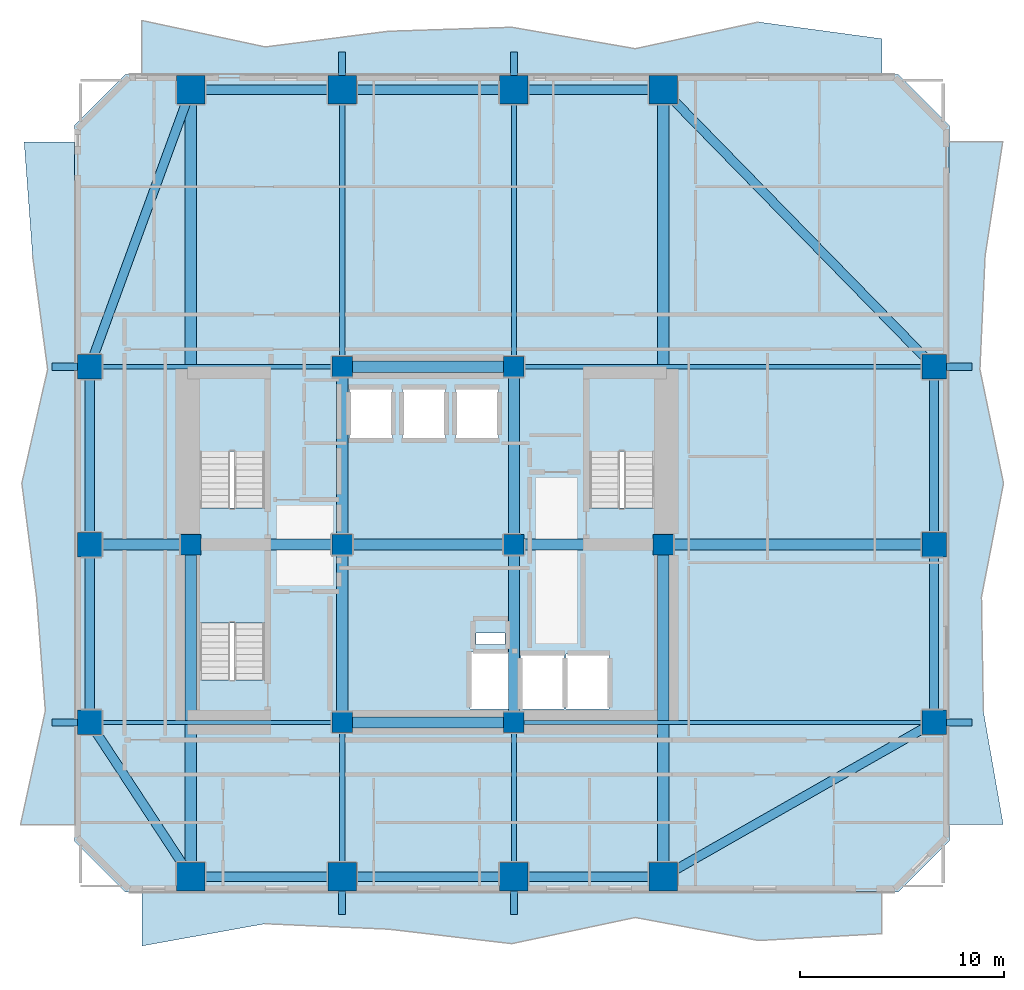
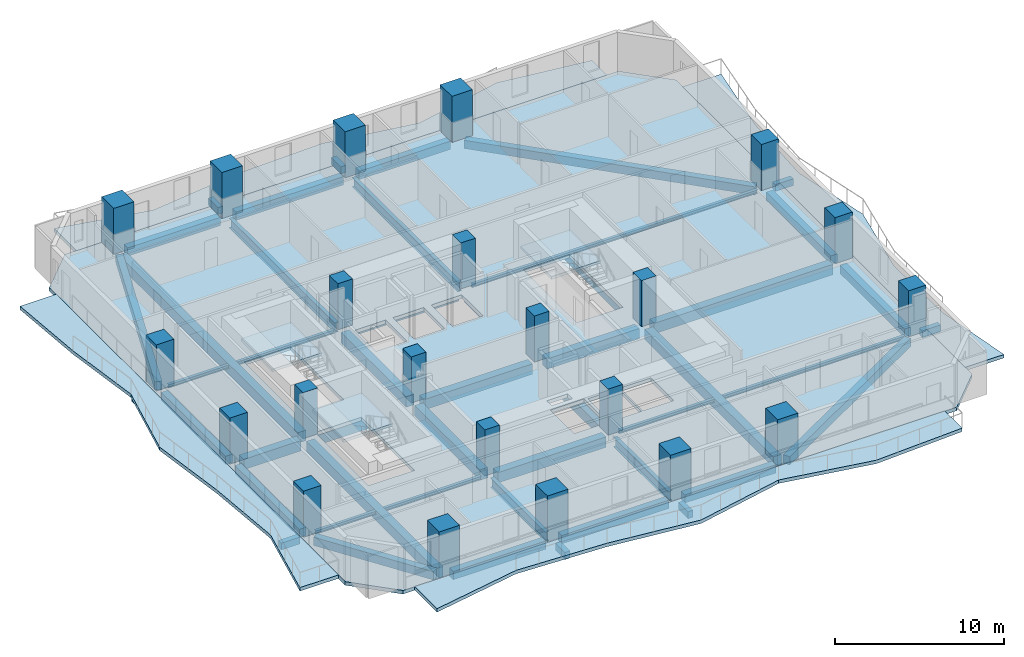
# One storey, part 1 of 11: 45 beams, 22 columns, 8 slabs, 3 elements without a shape of their own.
"""IFC4 building model written with IfcOpenShell, lengths in metres."""

import ifcopenshell
import ifcopenshell.guid

model = None  # the IFC model being written
_history = None  # IfcOwnerHistory: only IFC2X3 demands one
_inside = {}  # id of a spatial element -> (the spatial element, [elements in it])
_under = {}  # id of a project, library or spatial element -> (it, [spatial elements below it])
_declared = {}  # id of a project -> (the project, [libraries it declares])
_typed = {}  # id of a type object -> (the type object, [elements of that type])
_made_of = {}  # id of a material, layer set ... -> (it, [elements and type objects made of it])


def new_model(schema):
    """Start an empty IFC model of exactly this schema.

    Asked for "IFC4X3", IfcOpenShell would pick the latest addendum, in which some entities
    have other attributes; the version numbers below select the first issue.
    IFC2X3 requires an IfcOwnerHistory on every rooted entity: one is made here for all.
    """
    global model, _history
    if schema == "IFC4X3":
        model = ifcopenshell.file(schema_version=(4, 3, 0, 0))
    else:
        model = ifcopenshell.file(schema=schema)
    _inside.clear()
    _under.clear()
    _declared.clear()
    _typed.clear()
    _made_of.clear()
    _history = None
    if model.schema == "IFC2X3":
        org = make("IfcOrganization", Name="unknown")
        user = make(
            "IfcPersonAndOrganization",
            ThePerson=make("IfcPerson", FamilyName="unknown"),
            TheOrganization=org,
        )
        app = make(
            "IfcApplication",
            ApplicationDeveloper=org,
            Version="unknown",
            ApplicationFullName="unknown",
            ApplicationIdentifier="unknown",
        )
        _history = make(
            "IfcOwnerHistory",
            OwningUser=user,
            OwningApplication=app,
            ChangeAction="ADDED",
            CreationDate=0,
        )
    return model


def make(cls, **values):
    """One entity of the class cls with the attributes given. An attribute that is None is left unset."""
    return model.create_entity(
        cls, **{name: value for name, value in values.items() if value is not None}
    )


def rooted(cls, **values):
    """An entity with a GlobalId (a new one), such as an element, a storey or a relation."""
    return make(cls, GlobalId=ifcopenshell.guid.new(), OwnerHistory=_history, **values)


def si_unit(unit_type, name, prefix=None):
    """IfcSIUnit, for example si_unit("LENGTHUNIT", "METRE", prefix="MILLI")."""
    return make("IfcSIUnit", UnitType=unit_type, Prefix=prefix, Name=name)


def assignment(units):
    """IfcUnitAssignment: the units of a project."""
    return None if units is None else make("IfcUnitAssignment", Units=units)


def point(xyz):
    """IfcCartesianPoint."""
    return None if xyz is None else make("IfcCartesianPoint", Coordinates=xyz)


def direction(xyz):
    """IfcDirection."""
    return None if xyz is None else make("IfcDirection", DirectionRatios=xyz)


def frame(location, z_axis=None, x_axis=None):
    """IfcAxis2Placement3D, a coordinate frame: its origin and axes. An axis left out is left unset."""
    return make(
        "IfcAxis2Placement3D",
        Location=point(location),
        Axis=direction(z_axis),
        RefDirection=direction(x_axis),
    )


def frame_2d(location, x_axis=None):
    """IfcAxis2Placement2D, a coordinate frame in the plane: its origin and x axis."""
    return make(
        "IfcAxis2Placement2D", Location=point(location), RefDirection=direction(x_axis)
    )


def origin():
    """The frame at (0, 0, 0) with its axes left unset."""
    return frame((0.0, 0.0, 0.0))


def origin_2d():
    """The frame at (0, 0) in the plane with its x axis left unset."""
    return frame_2d((0.0, 0.0))


def place(relative_to, where):
    """IfcLocalPlacement: puts the frame where relative to a parent placement (None: the world)."""
    return make(
        "IfcLocalPlacement", PlacementRelTo=relative_to, RelativePlacement=where
    )


def context(
    kind, dimensions, precision=None, world=None, true_north=None, identifier=None
):
    """IfcGeometricRepresentationContext, for example the 3D "Model" context."""
    return make(
        "IfcGeometricRepresentationContext",
        ContextIdentifier=identifier,
        ContextType=kind,
        CoordinateSpaceDimension=dimensions,
        Precision=precision,
        WorldCoordinateSystem=world,
        TrueNorth=true_north,
    )


def subcontext(parent, identifier, kind, view, scale=None):
    """IfcGeometricRepresentationSubContext, for example "Body" below "Model"."""
    return make(
        "IfcGeometricRepresentationSubContext",
        ContextIdentifier=identifier,
        ContextType=kind,
        ParentContext=parent,
        TargetScale=scale,
        TargetView=view,
    )


def project(units=None, contexts=None):
    """IfcProject with its units and contexts."""
    return rooted(
        "IfcProject",
        Name="project",
        RepresentationContexts=contexts,
        UnitsInContext=assignment(units),
    )


def spatial(cls, under=None, at=None, **own):
    """A site, building, storey or space (cls), placed at a placement, below another one or the project."""
    s = rooted(cls, ObjectPlacement=at, **own)
    if under is not None:
        _under.setdefault(under.id(), (under, []))[1].append(s)
    return s


def polyline(points):
    """IfcPolyline through the points."""
    return make("IfcPolyline", Points=[point(p) for p in points])


def profile(cls, at=None, kind="AREA", **sizes):
    """A parametric profile (cls). Its sizes go by their IFC names, for example OverallWidth=200.0."""
    return make(cls, ProfileType=kind, Position=at, **sizes)


def rectangle(**sizes):
    """IfcRectangleProfileDef."""
    return profile("IfcRectangleProfileDef", **sizes)


def i_section(**sizes):
    """IfcIShapeProfileDef."""
    return profile("IfcIShapeProfileDef", **sizes)


def outline(outer, holes=None, kind="AREA"):
    """IfcArbitraryClosedProfileDef: a profile drawn as a closed curve; with holes, ...WithVoids."""
    if holes is None:
        return make("IfcArbitraryClosedProfileDef", ProfileType=kind, OuterCurve=outer)
    return make(
        "IfcArbitraryProfileDefWithVoids",
        ProfileType=kind,
        OuterCurve=outer,
        InnerCurves=holes,
    )


def extrude(swept, where, along, depth):
    """IfcExtrudedAreaSolid: the profile swept, set in the frame where, extruded along a direction by depth."""
    return make(
        "IfcExtrudedAreaSolid",
        SweptArea=swept,
        Position=where,
        ExtrudedDirection=direction(along),
        Depth=depth,
    )


def shape(context_of_items, identifier, shape_type, items):
    """IfcShapeRepresentation: the items that make up one representation, for example the "Body"."""
    return make(
        "IfcShapeRepresentation",
        ContextOfItems=context_of_items,
        RepresentationIdentifier=identifier,
        RepresentationType=shape_type,
        Items=items,
    )


def material(Name=None, Category=None):
    """IfcMaterial."""
    return make("IfcMaterial", Name=Name, Category=Category)


def layer(
    of_material, thickness, ventilated=None, Name=None, Category=None, Priority=None
):
    """IfcMaterialLayer: one layer of a wall or slab, of a material (None: an air gap)."""
    return make(
        "IfcMaterialLayer",
        Material=of_material,
        LayerThickness=thickness,
        IsVentilated=ventilated,
        Name=Name,
        Category=Category,
        Priority=Priority,
    )


def layer_set(layers, Name=None):
    """IfcMaterialLayerSet."""
    return make("IfcMaterialLayerSet", MaterialLayers=layers, LayerSetName=Name)


def material_profile(
    of_material, cross_section, Name=None, Category=None, Priority=None
):
    """IfcMaterialProfile: a cross section and its material."""
    return make(
        "IfcMaterialProfile",
        Name=Name,
        Material=of_material,
        Profile=cross_section,
        Priority=Priority,
        Category=Category,
    )


def profile_set(profiles, Name=None, composite=None):
    """IfcMaterialProfileSet."""
    return make(
        "IfcMaterialProfileSet",
        Name=Name,
        MaterialProfiles=profiles,
        CompositeProfile=composite,
    )


def made_of(thing, what):
    """Note that an element or type object is made of a material, layer set ...; save() writes the relation."""
    if what is not None:
        _made_of.setdefault(what.id(), (what, []))[1].append(thing)
    return thing


def type_object(cls, material=None, **own):
    """A type object (cls), such as IfcWallType, which elements share."""
    return made_of(rooted(cls, **own), material)


def element(
    cls,
    number,
    at=None,
    inside=None,
    cuts=None,
    type_object=None,
    material=None,
    context=None,
    identifier="Body",
    shape_type=None,
    held_by="IfcProductDefinitionShape",
    body=None,
    shapes=None,
    **own,
):
    """One element of the class cls, such as IfcWall. Its Tag is "e" and its number.

    at: its placement. inside: the storey or other place that contains it. cuts: it is an
    opening in that element (IfcRelVoidsElement). A single representation is given by context,
    identifier, shape_type and body (its items); several are given by shapes. held_by: the class
    of the entity that holds the representations. save() writes the other relations.
    """
    e = rooted(cls, Tag="e%d" % number, ObjectPlacement=at, **own)
    if body is not None:
        shapes = [shape(context, identifier, shape_type, body)]
    if shapes is not None:
        e.Representation = make(held_by, Representations=shapes)
    if inside is not None:
        _inside.setdefault(inside.id(), (inside, []))[1].append(e)
    if cuts is not None:
        rooted(
            "IfcRelVoidsElement", RelatingBuildingElement=cuts, RelatedOpeningElement=e
        )
    if type_object is not None:
        _typed.setdefault(type_object.id(), (type_object, []))[1].append(e)
    return made_of(e, material)


def aggregate(whole, parts):
    """IfcRelAggregates: a whole, such as a stair, and the parts it consists of."""
    return rooted("IfcRelAggregates", RelatingObject=whole, RelatedObjects=parts)


def save(model, path):
    """Write the relations noted so far, then the file.

    IfcRelAggregates (storeys below a building ...), IfcRelContainedInSpatialStructure (elements
    in a storey), IfcRelDefinesByType, IfcRelAssociatesMaterial and IfcRelDeclares: one each for
    every whole, place, type object, material and project.
    """
    for whole, parts in _under.values():
        aggregate(whole, parts)
    for where, things in _inside.values():
        rooted(
            "IfcRelContainedInSpatialStructure",
            RelatedElements=things,
            RelatingStructure=where,
        )
    for kind, things in _typed.values():
        rooted("IfcRelDefinesByType", RelatedObjects=things, RelatingType=kind)
    for what, things in _made_of.values():
        rooted("IfcRelAssociatesMaterial", RelatedObjects=things, RelatingMaterial=what)
    for by, libraries in _declared.values():
        rooted("IfcRelDeclares", RelatingContext=by, RelatedDefinitions=libraries)
    model.write(path)


model = new_model("IFC4")

# Units and contexts
model_context = context("Model", 3, precision=1e-05, world=origin(), true_north=direction((0.0, 1.0)))
body_context = subcontext(model_context, "Body", "Model", "MODEL_VIEW")
ifc_project = project(units=[si_unit("LENGTHUNIT", "METRE"), si_unit("AREAUNIT", "SQUARE_METRE"), si_unit("VOLUMEUNIT", "CUBIC_METRE"), si_unit("PLANEANGLEUNIT", "RADIAN"), si_unit("MASSUNIT", "GRAM", prefix="KILO")], contexts=[model_context])

# Site, building, storey
site_placement = place(None, origin())
site = spatial("IfcSite", under=ifc_project, at=site_placement, CompositionType="ELEMENT")
building_placement = place(site_placement, origin())
building = spatial("IfcBuilding", under=site, at=building_placement, Name="Solanera Arch Residences", CompositionType="ELEMENT")
storey_placement = place(building_placement, frame((0.0, 0.0, 75.1201171875)))
storey = spatial("IfcBuildingStorey", under=building, at=storey_placement, Name="L21", CompositionType="ELEMENT", Elevation=75.1201171875)

# Columns
ifc_material_1 = material(Name="Concrete C55/67 (f'c = 60 MPa)", Category="concrete")
ifc_material_profile_1 = material_profile(ifc_material_1, rectangle(XDim=1.0, YDim=1.0, at=origin_2d()))
ifc_profile_set_1 = profile_set([ifc_material_profile_1], Name="Concrete C55/67 (f'c = 60 MPa)")
column_type_1 = type_object("IfcColumnType", Name="Structural Column RC-COL-1000X1000", PredefinedType="COLUMN", material=ifc_profile_set_1)
for number, where, z_axis, x_axis, name in (
    (1, (20.800048828125, 22.0, 0.0), (0.0, 0.0, 1.0), (1.0, 0.0, 0.0), "COL-L21-CB-SW"),
    (2, (29.199951171875, 22.0, 0.0), (0.0, 0.0, 1.0), (1.0, 0.0, 0.0), "COL-L21-CB-SE"),
    (3, (20.800048828125, 39.39990234375, 0.0), (0.0, 0.0, 1.0), (1.0, 0.0, 0.0), "COL-L21-CB-NW"),
    (4, (29.199951171875, 39.39990234375, 0.0), (0.0, 0.0, 1.0), (1.0, 0.0, 0.0), "COL-L21-CB-NE"),
    (5, (13.39990234375, 30.699951171875, 0.0), (0.0, 0.0, 1.0), (1.0, 0.0, 0.0), "COL-L21-CB-WW"),
    (6, (36.5, 30.699951171875, 0.0), (0.0, 0.0, 1.0), (1.0, 0.0, 0.0), "COL-L21-CB-EE"),
    (7, (20.800048828125, 30.699951171875, 0.0), (0.0, 0.0, 1.0), (1.0, 0.0, 0.0), "COL-L21-CORE-W"),
    (8, (29.199951171875, 30.699951171875, 0.0), (0.0, 0.0, 1.0), (1.0, 0.0, 0.0), "COL-L21-CORE-E"),
):
    element("IfcColumn", number, at=place(storey_placement, frame(where, z_axis=z_axis, x_axis=x_axis)), inside=storey, type_object=column_type_1, Name=name, PredefinedType="COLUMN", context=body_context, shape_type="SweptSolid", body=[
        extrude(rectangle(XDim=1.0, YDim=1.0, at=origin_2d()), origin(), (0.0, 0.0, 1.0), 3.31982421875),
    ])
ifc_material_2 = material(Name="Concrete C55/67 (f'c = 60 MPa)", Category="concrete")
ifc_material_profile_2 = material_profile(ifc_material_2, rectangle(XDim=1.199951171875, YDim=1.199951171875, at=origin_2d()))
ifc_profile_set_2 = profile_set([ifc_material_profile_2], Name="Concrete C55/67 (f'c = 60 MPa)")
column_type_2 = type_object("IfcColumnType", Name="Structural Column RC-COL-1200X1200", PredefinedType="COLUMN", material=ifc_profile_set_2)
for number, where, z_axis, x_axis, name in (
    (9, (8.449951171875, 22.0, 0.0), (0.0, 0.0, 1.0), (1.0, 0.0, 0.0), "COL-L21-TWR-09"),
    (10, (49.75, 22.0, 0.0), (0.0, 0.0, 1.0), (1.0, 0.0, 0.0), "COL-L21-TWR-10"),
    (11, (8.449951171875, 30.699951171875, 0.0), (0.0, 0.0, 1.0), (1.0, 0.0, 0.0), "COL-L21-TWR-11"),
    (12, (49.75, 30.699951171875, 0.0), (0.0, 0.0, 1.0), (1.0, 0.0, 0.0), "COL-L21-TWR-12"),
    (13, (8.449951171875, 39.39990234375, 0.0), (0.0, 0.0, 1.0), (1.0, 0.0, 0.0), "COL-L21-TWR-13"),
    (14, (49.75, 39.39990234375, 0.0), (0.0, 0.0, 1.0), (1.0, 0.0, 0.0), "COL-L21-TWR-14"),
):
    element("IfcColumn", number, at=place(storey_placement, frame(where, z_axis=z_axis, x_axis=x_axis)), inside=storey, type_object=column_type_2, Name=name, PredefinedType="COLUMN", context=body_context, shape_type="SweptSolid", body=[
        extrude(rectangle(XDim=1.199951171875, YDim=1.199951171875, at=origin_2d()), origin(), (0.0, 0.0, 1.0), 3.31982421875),
    ])
ifc_material_3 = material(Name="Concrete C55/67 (f'c = 60 MPa)", Category="concrete")
ifc_material_profile_3 = material_profile(ifc_material_3, rectangle(XDim=1.39990234375, YDim=1.39990234375, at=origin_2d()))
ifc_profile_set_3 = profile_set([ifc_material_profile_3], Name="Concrete C55/67 (f'c = 60 MPa)")
column_type_3 = type_object("IfcColumnType", Name="Structural Column RC-COL-1400X1400", PredefinedType="COLUMN", material=ifc_profile_set_3)
for number, where, z_axis, x_axis, name in (
    (15, (13.39990234375, 14.449951171875, 0.0), (0.0, 0.0, 1.0), (1.0, 0.0, 0.0), "COL-L21-TWR-01"),
    (16, (13.39990234375, 52.949951171875, 0.0), (0.0, 0.0, 1.0), (1.0, 0.0, 0.0), "COL-L21-TWR-02"),
    (17, (20.800048828125, 14.449951171875, 0.0), (0.0, 0.0, 1.0), (1.0, 0.0, 0.0), "COL-L21-TWR-03"),
    (18, (20.800048828125, 52.949951171875, 0.0), (0.0, 0.0, 1.0), (1.0, 0.0, 0.0), "COL-L21-TWR-04"),
    (19, (29.199951171875, 14.449951171875, 0.0), (0.0, 0.0, 1.0), (1.0, 0.0, 0.0), "COL-L21-TWR-05"),
    (20, (29.199951171875, 52.949951171875, 0.0), (0.0, 0.0, 1.0), (1.0, 0.0, 0.0), "COL-L21-TWR-06"),
    (21, (36.5, 14.449951171875, 0.0), (0.0, 0.0, 1.0), (1.0, 0.0, 0.0), "COL-L21-TWR-07"),
    (22, (36.5, 52.949951171875, 0.0), (0.0, 0.0, 1.0), (1.0, 0.0, 0.0), "COL-L21-TWR-08"),
):
    element("IfcColumn", number, at=place(storey_placement, frame(where, z_axis=z_axis, x_axis=x_axis)), inside=storey, type_object=column_type_3, Name=name, PredefinedType="COLUMN", context=body_context, shape_type="SweptSolid", body=[
        extrude(rectangle(XDim=1.39990234375, YDim=1.39990234375, at=origin_2d()), origin(), (0.0, 0.0, 1.0), 3.31982421875),
    ])

# Beams
ifc_material_4 = material(Name="Concrete C40/50 (f'c = 45 MPa)", Category="concrete")
ifc_material_profile_4 = material_profile(ifc_material_4, rectangle(XDim=0.35009765625, YDim=0.5, at=origin_2d()))
ifc_profile_set_4 = profile_set([ifc_material_profile_4], Name="Concrete C40/50 (f'c = 45 MPa)")
beam_type_1 = type_object("IfcBeamType", Name="BM-BALC-RIB", PredefinedType="BEAM", material=ifc_profile_set_4)
for number, where, z_axis, x_axis, name in (
    (23, (20.800048828125, 12.60009765625, -0.5), (0.0, 1.0, 0.0), (-1.0, 0.0, 0.0), "BM-L21-BRIB-S1"),
    (24, (29.199951171875, 12.60009765625, -0.5), (0.0, 1.0, 0.0), (-1.0, 0.0, 0.0), "BM-L21-BRIB-S2"),
):
    element("IfcBeam", number, at=place(storey_placement, frame(where, z_axis=z_axis, x_axis=x_axis)), inside=storey, type_object=beam_type_1, Name=name, PredefinedType="BEAM", context=body_context, shape_type="SweptSolid", body=[
        extrude(rectangle(XDim=0.35009765625, YDim=0.5, at=origin_2d()), origin(), (0.0, 0.0, 1.0), 1.14990234375),
    ])
for number, where, z_axis, x_axis, name in (
    (25, (20.800048828125, 53.64990234375, -0.5), (0.0, 1.0, 0.0), (-1.0, 0.0, 0.0), "BM-L21-BRIB-N1"),
    (26, (29.199951171875, 53.64990234375, -0.5), (0.0, 1.0, 0.0), (-1.0, 0.0, 0.0), "BM-L21-BRIB-N2"),
):
    element("IfcBeam", number, at=place(storey_placement, frame(where, z_axis=z_axis, x_axis=x_axis)), inside=storey, type_object=beam_type_1, Name=name, PredefinedType="BEAM", context=body_context, shape_type="SweptSolid", body=[
        extrude(rectangle(XDim=0.35009765625, YDim=0.5, at=origin_2d()), origin(), (0.0, 0.0, 1.0), 1.150146484375),
    ])
for number, where, z_axis, x_axis, name in (
    (27, (50.35009765625, 22.0, -0.5), (1.0, 0.0, 0.0), (0.0, 1.0, 0.0), "BM-L21-BRIB-E1"),
    (28, (50.35009765625, 39.39990234375, -0.5), (1.0, 0.0, 0.0), (0.0, 1.0, 0.0), "BM-L21-BRIB-E2"),
    (29, (6.60009765625, 22.0, -0.5), (1.0, 0.0, 0.0), (0.0, 1.0, 0.0), "BM-L21-BRIB-W1"),
    (30, (6.60009765625, 39.39990234375, -0.5), (1.0, 0.0, 0.0), (0.0, 1.0, 0.0), "BM-L21-BRIB-W2"),
):
    element("IfcBeam", number, at=place(storey_placement, frame(where, z_axis=z_axis, x_axis=x_axis)), inside=storey, type_object=beam_type_1, Name=name, PredefinedType="BEAM", context=body_context, shape_type="SweptSolid", body=[
        extrude(rectangle(XDim=0.35009765625, YDim=0.5, at=origin_2d()), origin(), (0.0, 0.0, 1.0), 1.25),
    ])
ifc_material_5 = material(Name="Concrete C40/50 (f'c = 45 MPa)", Category="concrete")
ifc_material_profile_5 = material_profile(ifc_material_5, rectangle(XDim=0.550048828125, YDim=0.75, at=origin_2d()))
ifc_profile_set_5 = profile_set([ifc_material_profile_5], Name="Concrete C40/50 (f'c = 45 MPa)")
beam_type_2 = type_object("IfcBeamType", Name="Primary Beam RC-BM-550X750", PredefinedType="BEAM", material=ifc_profile_set_5)
beam_1_placement = place(storey_placement, frame((20.800048828125, 22.50390625, -0.635009765625), z_axis=(0.0, 1.0, 0.0), x_axis=(-1.0, 0.0, 0.0)))
element("IfcBeam", 31, at=beam_1_placement, inside=storey, type_object=beam_type_2, Name="BM-L21-CC-S-208", PredefinedType="BEAM", context=body_context, shape_type="SweptSolid", body=[
    extrude(rectangle(XDim=0.550048828125, YDim=0.75, at=origin_2d()), origin(), (0.0, 0.0, 1.0), 7.692138671875),
])
beam_2_placement = place(storey_placement, frame((20.800048828125, 31.2041015625, -0.635009765625), z_axis=(0.0, 1.0, 0.0), x_axis=(-1.0, 0.0, 0.0)))
element("IfcBeam", 32, at=beam_2_placement, inside=storey, type_object=beam_type_2, Name="BM-L21-CC-N-208", PredefinedType="BEAM", context=body_context, shape_type="SweptSolid", body=[
    extrude(rectangle(XDim=0.550048828125, YDim=0.75, at=origin_2d()), origin(), (0.0, 0.0, 1.0), 7.69189453125),
])
beam_3_placement = place(storey_placement, frame((29.199951171875, 22.50390625, -0.635009765625), z_axis=(0.0, 1.0, 0.0), x_axis=(-1.0, 0.0, 0.0)))
element("IfcBeam", 33, at=beam_3_placement, inside=storey, type_object=beam_type_2, Name="BM-L21-CC-S-292", PredefinedType="BEAM", context=body_context, shape_type="SweptSolid", body=[
    extrude(rectangle(XDim=0.550048828125, YDim=0.75, at=origin_2d()), origin(), (0.0, 0.0, 1.0), 7.692138671875),
])
beam_4_placement = place(storey_placement, frame((29.199951171875, 31.2041015625, -0.635009765625), z_axis=(0.0, 1.0, 0.0), x_axis=(-1.0, 0.0, 0.0)))
element("IfcBeam", 34, at=beam_4_placement, inside=storey, type_object=beam_type_2, Name="BM-L21-CC-N-292", PredefinedType="BEAM", context=body_context, shape_type="SweptSolid", body=[
    extrude(rectangle(XDim=0.550048828125, YDim=0.75, at=origin_2d()), origin(), (0.0, 0.0, 1.0), 7.69189453125),
])
for number, where, z_axis, x_axis, name in (
    (35, (21.303955078125, 22.0, -0.635009765625), (1.0, 0.0, 0.0), (0.0, 1.0, 0.0), "BM-L21-CC-M-220"),
    (36, (21.303955078125, 30.699951171875, -0.635009765625), (1.0, 0.0, 0.0), (0.0, 1.0, 0.0), "BM-L21-CC-M-307"),
    (37, (21.303955078125, 39.39990234375, -0.635009765625), (1.0, 0.0, 0.0), (0.0, 1.0, 0.0), "BM-L21-CC-M-394"),
):
    element("IfcBeam", number, at=place(storey_placement, frame(where, z_axis=z_axis, x_axis=x_axis)), inside=storey, type_object=beam_type_2, Name=name, PredefinedType="BEAM", context=body_context, shape_type="SweptSolid", body=[
        extrude(rectangle(XDim=0.550048828125, YDim=0.75, at=origin_2d()), origin(), (0.0, 0.0, 1.0), 7.39208984375),
    ])
beam_5_placement = place(storey_placement, frame((13.904052734375, 30.699951171875, -0.635009765625), z_axis=(1.0, 0.0, 0.0), x_axis=(0.0, 1.0, 0.0)))
element("IfcBeam", 38, at=beam_5_placement, inside=storey, type_object=beam_type_2, Name="BM-L21-CC-W", PredefinedType="BEAM", context=body_context, shape_type="SweptSolid", body=[
    extrude(rectangle(XDim=0.550048828125, YDim=0.75, at=origin_2d()), origin(), (0.0, 0.0, 1.0), 6.391845703125),
])
beam_6_placement = place(storey_placement, frame((29.7041015625, 30.699951171875, -0.635009765625), z_axis=(1.0, 0.0, 0.0), x_axis=(0.0, 1.0, 0.0)))
element("IfcBeam", 39, at=beam_6_placement, inside=storey, type_object=beam_type_2, Name="BM-L21-CC-E", PredefinedType="BEAM", context=body_context, shape_type="SweptSolid", body=[
    extrude(rectangle(XDim=0.550048828125, YDim=0.75, at=origin_2d()), origin(), (0.0, 0.0, 1.0), 6.2919921875),
])
beam_7_placement = place(storey_placement, frame((13.39990234375, 14.989990234375, -0.635009765625), z_axis=(0.0, 1.0, 0.0), x_axis=(-1.0, 0.0, 0.0)))
element("IfcBeam", 40, at=beam_7_placement, inside=storey, type_object=beam_type_2, Name="BM-L21-RAD-OS-134", PredefinedType="BEAM", context=body_context, shape_type="SweptSolid", body=[
    extrude(rectangle(XDim=0.550048828125, YDim=0.75, at=origin_2d()), origin(), (0.0, 0.0, 1.0), 15.2060546875),
])
beam_8_placement = place(storey_placement, frame((13.39990234375, 31.2041015625, -0.635009765625), z_axis=(0.0, 1.0, 0.0), x_axis=(-1.0, 0.0, 0.0)))
element("IfcBeam", 41, at=beam_8_placement, inside=storey, type_object=beam_type_2, Name="BM-L21-RAD-ON-134", PredefinedType="BEAM", context=body_context, shape_type="SweptSolid", body=[
    extrude(rectangle(XDim=0.550048828125, YDim=0.75, at=origin_2d()), origin(), (0.0, 0.0, 1.0), 21.205810546875),
])
beam_9_placement = place(storey_placement, frame((36.5, 14.989990234375, -0.635009765625), z_axis=(0.0, 1.0, 0.0), x_axis=(-1.0, 0.0, 0.0)))
element("IfcBeam", 42, at=beam_9_placement, inside=storey, type_object=beam_type_2, Name="BM-L21-RAD-OS-365", PredefinedType="BEAM", context=body_context, shape_type="SweptSolid", body=[
    extrude(rectangle(XDim=0.550048828125, YDim=0.75, at=origin_2d()), origin(), (0.0, 0.0, 1.0), 15.2060546875),
])
beam_10_placement = place(storey_placement, frame((36.5, 31.2041015625, -0.635009765625), z_axis=(0.0, 1.0, 0.0), x_axis=(-1.0, 0.0, 0.0)))
element("IfcBeam", 43, at=beam_10_placement, inside=storey, type_object=beam_type_2, Name="BM-L21-RAD-ON-365", PredefinedType="BEAM", context=body_context, shape_type="SweptSolid", body=[
    extrude(rectangle(XDim=0.550048828125, YDim=0.75, at=origin_2d()), origin(), (0.0, 0.0, 1.0), 21.205810546875),
])
beam_11_placement = place(storey_placement, frame((8.989990234375, 30.699951171875, -0.635009765625), z_axis=(1.0, 0.0, 0.0), x_axis=(0.0, 1.0, 0.0)))
element("IfcBeam", 44, at=beam_11_placement, inside=storey, type_object=beam_type_2, Name="BM-L21-RAD-MW", PredefinedType="BEAM", context=body_context, shape_type="SweptSolid", body=[
    extrude(rectangle(XDim=0.550048828125, YDim=0.75, at=origin_2d()), origin(), (0.0, 0.0, 1.0), 3.906005859375),
])
beam_12_placement = place(storey_placement, frame((37.00390625, 30.699951171875, -0.635009765625), z_axis=(1.0, 0.0, 0.0), x_axis=(0.0, 1.0, 0.0)))
element("IfcBeam", 45, at=beam_12_placement, inside=storey, type_object=beam_type_2, Name="BM-L21-RAD-ME", PredefinedType="BEAM", context=body_context, shape_type="SweptSolid", body=[
    extrude(rectangle(XDim=0.550048828125, YDim=0.75, at=origin_2d()), origin(), (0.0, 0.0, 1.0), 12.2060546875),
])
ifc_material_6 = material(Name="Steel S355 (ASTM A992 / A572 Grade 50)", Category="steel")
ifc_material_profile_6 = material_profile(ifc_material_6, i_section(OverallWidth=0.256103515625, OverallDepth=0.693115234375, WebThickness=0.014404296875, FlangeThickness=0.023681640625, at=origin_2d()))
ifc_profile_set_6 = profile_set([ifc_material_profile_6], Name="Steel S355 (ASTM A992 / A572 Grade 50)")
beam_type_3 = type_object("IfcBeamType", Name="Primary Beam W690X170", PredefinedType="BEAM", material=ifc_profile_set_6)
beam_13_placement = place(storey_placement, frame((20.800048828125, 14.989990234375, -0.607177734375), z_axis=(0.0, 1.0, 0.0), x_axis=(-1.0, 0.0, 0.0)))
element("IfcBeam", 46, at=beam_13_placement, inside=storey, type_object=beam_type_3, Name="BM-L21-RAD-S-208", PredefinedType="BEAM", context=body_context, shape_type="SweptSolid", body=[
    extrude(i_section(OverallWidth=0.256103515625, OverallDepth=0.693115234375, WebThickness=0.014404296875, FlangeThickness=0.023681640625, at=origin_2d()), origin(), (0.0, 0.0, 1.0), 6.506103515625),
])
beam_14_placement = place(storey_placement, frame((20.800048828125, 39.904052734375, -0.607177734375), z_axis=(0.0, 1.0, 0.0), x_axis=(-1.0, 0.0, 0.0)))
element("IfcBeam", 47, at=beam_14_placement, inside=storey, type_object=beam_type_3, Name="BM-L21-RAD-N-208", PredefinedType="BEAM", context=body_context, shape_type="SweptSolid", body=[
    extrude(i_section(OverallWidth=0.256103515625, OverallDepth=0.693115234375, WebThickness=0.014404296875, FlangeThickness=0.023681640625, at=origin_2d()), origin(), (0.0, 0.0, 1.0), 12.505859375),
])
beam_15_placement = place(storey_placement, frame((29.199951171875, 14.989990234375, -0.607177734375), z_axis=(0.0, 1.0, 0.0), x_axis=(-1.0, 0.0, 0.0)))
element("IfcBeam", 48, at=beam_15_placement, inside=storey, type_object=beam_type_3, Name="BM-L21-RAD-S-292", PredefinedType="BEAM", context=body_context, shape_type="SweptSolid", body=[
    extrude(i_section(OverallWidth=0.256103515625, OverallDepth=0.693115234375, WebThickness=0.014404296875, FlangeThickness=0.023681640625, at=origin_2d()), origin(), (0.0, 0.0, 1.0), 6.506103515625),
])
beam_16_placement = place(storey_placement, frame((29.199951171875, 39.904052734375, -0.607177734375), z_axis=(0.0, 1.0, 0.0), x_axis=(-1.0, 0.0, 0.0)))
element("IfcBeam", 49, at=beam_16_placement, inside=storey, type_object=beam_type_3, Name="BM-L21-RAD-N-292", PredefinedType="BEAM", context=body_context, shape_type="SweptSolid", body=[
    extrude(i_section(OverallWidth=0.256103515625, OverallDepth=0.693115234375, WebThickness=0.014404296875, FlangeThickness=0.023681640625, at=origin_2d()), origin(), (0.0, 0.0, 1.0), 12.505859375),
])
ifc_material_7 = material(Name="Steel S355 (ASTM A992 / A572 Grade 50)", Category="steel")
ifc_material_profile_7 = material_profile(ifc_material_7, i_section(OverallWidth=0.201904296875, OverallDepth=0.2470703125, WebThickness=0.00732421875, FlangeThickness=0.010986328125, at=origin_2d()))
ifc_profile_set_7 = profile_set([ifc_material_profile_7], Name="Steel S355 (ASTM A992 / A572 Grade 50)")
beam_type_4 = type_object("IfcBeamType", Name="Secondary Joist W250X49.1", PredefinedType="JOIST", material=ifc_profile_set_7)
beam_17_placement = place(storey_placement, frame((8.989990234375, 22.0, -0.384033203125), z_axis=(1.0, 0.0, 0.0), x_axis=(0.0, 1.0, 0.0)))
element("IfcBeam", 50, at=beam_17_placement, inside=storey, type_object=beam_type_4, Name="BM-L21-RAD-W-220", PredefinedType="JOIST", context=body_context, shape_type="SweptSolid", body=[
    extrude(i_section(OverallWidth=0.201904296875, OverallDepth=0.2470703125, WebThickness=0.00732421875, FlangeThickness=0.010986328125, at=origin_2d()), origin(), (0.0, 0.0, 1.0), 11.305908203125),
])
beam_18_placement = place(storey_placement, frame((29.7041015625, 22.0, -0.384033203125), z_axis=(1.0, 0.0, 0.0), x_axis=(0.0, 1.0, 0.0)))
element("IfcBeam", 51, at=beam_18_placement, inside=storey, type_object=beam_type_4, Name="BM-L21-RAD-E-220", PredefinedType="JOIST", context=body_context, shape_type="SweptSolid", body=[
    extrude(i_section(OverallWidth=0.201904296875, OverallDepth=0.2470703125, WebThickness=0.00732421875, FlangeThickness=0.010986328125, at=origin_2d()), origin(), (0.0, 0.0, 1.0), 19.505859375),
])
beam_19_placement = place(storey_placement, frame((8.989990234375, 39.39990234375, -0.384033203125), z_axis=(1.0, 0.0, 0.0), x_axis=(0.0, 1.0, 0.0)))
element("IfcBeam", 52, at=beam_19_placement, inside=storey, type_object=beam_type_4, Name="BM-L21-RAD-W-394", PredefinedType="JOIST", context=body_context, shape_type="SweptSolid", body=[
    extrude(i_section(OverallWidth=0.201904296875, OverallDepth=0.2470703125, WebThickness=0.00732421875, FlangeThickness=0.010986328125, at=origin_2d()), origin(), (0.0, 0.0, 1.0), 11.305908203125),
])
beam_20_placement = place(storey_placement, frame((29.7041015625, 39.39990234375, -0.384033203125), z_axis=(1.0, 0.0, 0.0), x_axis=(0.0, 1.0, 0.0)))
element("IfcBeam", 53, at=beam_20_placement, inside=storey, type_object=beam_type_4, Name="BM-L21-RAD-E-394", PredefinedType="JOIST", context=body_context, shape_type="SweptSolid", body=[
    extrude(i_section(OverallWidth=0.201904296875, OverallDepth=0.2470703125, WebThickness=0.00732421875, FlangeThickness=0.010986328125, at=origin_2d()), origin(), (0.0, 0.0, 1.0), 19.505859375),
])
ifc_material_8 = material(Name="Concrete C40/50 (f'c = 45 MPa)", Category="concrete")
ifc_material_profile_8 = material_profile(ifc_material_8, rectangle(XDim=0.449951171875, YDim=0.60009765625, at=origin_2d()))
ifc_profile_set_8 = profile_set([ifc_material_profile_8], Name="Concrete C40/50 (f'c = 45 MPa)")
beam_type_5 = type_object("IfcBeamType", Name="Spandrel Beam RC-BM-450X600", PredefinedType="SPANDREL", material=ifc_profile_set_8)
for number, where, z_axis, x_axis, name in (
    (54, (13.93994140625, 14.449951171875, -0.56005859375), (1.0, 0.0, 0.0), (0.0, 1.0, 0.0), "BM-L21-SPN-S-1"),
    (55, (13.93994140625, 52.949951171875, -0.56005859375), (1.0, 0.0, 0.0), (0.0, 1.0, 0.0), "BM-L21-SPN-N-1"),
):
    element("IfcBeam", number, at=place(storey_placement, frame(where, z_axis=z_axis, x_axis=x_axis)), inside=storey, type_object=beam_type_5, Name=name, PredefinedType="SPANDREL", context=body_context, shape_type="SweptSolid", body=[
        extrude(rectangle(XDim=0.449951171875, YDim=0.60009765625, at=origin_2d()), origin(), (0.0, 0.0, 1.0), 6.320068359375),
    ])
for number, where, z_axis, x_axis, name in (
    (56, (21.340087890625, 14.449951171875, -0.56005859375), (1.0, 0.0, 0.0), (0.0, 1.0, 0.0), "BM-L21-SPN-S-2"),
    (57, (21.340087890625, 52.949951171875, -0.56005859375), (1.0, 0.0, 0.0), (0.0, 1.0, 0.0), "BM-L21-SPN-N-2"),
):
    element("IfcBeam", number, at=place(storey_placement, frame(where, z_axis=z_axis, x_axis=x_axis)), inside=storey, type_object=beam_type_5, Name=name, PredefinedType="SPANDREL", context=body_context, shape_type="SweptSolid", body=[
        extrude(rectangle(XDim=0.449951171875, YDim=0.60009765625, at=origin_2d()), origin(), (0.0, 0.0, 1.0), 7.31982421875),
    ])
for number, where, z_axis, x_axis, name in (
    (58, (29.739990234375, 14.449951171875, -0.56005859375), (1.0, 0.0, 0.0), (0.0, 1.0, 0.0), "BM-L21-SPN-S-3"),
    (59, (29.739990234375, 52.949951171875, -0.56005859375), (1.0, 0.0, 0.0), (0.0, 1.0, 0.0), "BM-L21-SPN-N-3"),
):
    element("IfcBeam", number, at=place(storey_placement, frame(where, z_axis=z_axis, x_axis=x_axis)), inside=storey, type_object=beam_type_5, Name=name, PredefinedType="SPANDREL", context=body_context, shape_type="SweptSolid", body=[
        extrude(rectangle(XDim=0.449951171875, YDim=0.60009765625, at=origin_2d()), origin(), (0.0, 0.0, 1.0), 6.219970703125),
    ])
for number, where, z_axis, x_axis, name in (
    (60, (8.449951171875, 22.5400390625, -0.56005859375), (0.0, 1.0, 0.0), (-1.0, 0.0, 0.0), "BM-L21-SPN-W-1"),
    (61, (49.75, 22.5400390625, -0.56005859375), (0.0, 1.0, 0.0), (-1.0, 0.0, 0.0), "BM-L21-SPN-E-1"),
):
    element("IfcBeam", number, at=place(storey_placement, frame(where, z_axis=z_axis, x_axis=x_axis)), inside=storey, type_object=beam_type_5, Name=name, PredefinedType="SPANDREL", context=body_context, shape_type="SweptSolid", body=[
        extrude(rectangle(XDim=0.449951171875, YDim=0.60009765625, at=origin_2d()), origin(), (0.0, 0.0, 1.0), 7.619873046875),
    ])
for number, where, z_axis, x_axis, name in (
    (62, (8.449951171875, 31.239990234375, -0.56005859375), (0.0, 1.0, 0.0), (-1.0, 0.0, 0.0), "BM-L21-SPN-W-2"),
    (63, (49.75, 31.239990234375, -0.56005859375), (0.0, 1.0, 0.0), (-1.0, 0.0, 0.0), "BM-L21-SPN-E-2"),
):
    element("IfcBeam", number, at=place(storey_placement, frame(where, z_axis=z_axis, x_axis=x_axis)), inside=storey, type_object=beam_type_5, Name=name, PredefinedType="SPANDREL", context=body_context, shape_type="SweptSolid", body=[
        extrude(rectangle(XDim=0.449951171875, YDim=0.60009765625, at=origin_2d()), origin(), (0.0, 0.0, 1.0), 7.6201171875),
    ])
beam_21_placement = place(storey_placement, frame((13.10400390625, 14.902099609375, -0.56005859375), z_axis=(-0.548346397052, 0.836251295269, 0.0), x_axis=(-0.836251295269, -0.548346397052, 0.0)))
element("IfcBeam", 64, at=beam_21_placement, inside=storey, type_object=beam_type_5, Name="BM-L21-SPN-SW", PredefinedType="SPANDREL", context=body_context, shape_type="SweptSolid", body=[
    extrude(rectangle(XDim=0.449951171875, YDim=0.60009765625, at=origin_2d()), origin(), (0.0, 0.0, 1.0), 7.947265625),
])
beam_22_placement = place(storey_placement, frame((13.215087890625, 52.443115234375, -0.56005859375), z_axis=(-0.343164401189, -0.939275355663, 0.0), x_axis=(0.939275355663, -0.343164401189, 0.0)))
element("IfcBeam", 65, at=beam_22_placement, inside=storey, type_object=beam_type_5, Name="BM-L21-SPN-NW", PredefinedType="SPANDREL", context=body_context, shape_type="SweptSolid", body=[
    extrude(rectangle(XDim=0.449951171875, YDim=0.60009765625, at=origin_2d()), origin(), (0.0, 0.0, 1.0), 13.3466796875),
])
beam_23_placement = place(storey_placement, frame((36.968994140625, 14.717041015625, -0.56005859375), z_axis=(0.868837301814, 0.495097710534, 0.0), x_axis=(-0.495097710534, 0.868837301814, 0.0)))
element("IfcBeam", 66, at=beam_23_placement, inside=storey, type_object=beam_type_5, Name="BM-L21-SPN-SE", PredefinedType="SPANDREL", context=body_context, shape_type="SweptSolid", body=[
    extrude(rectangle(XDim=0.449951171875, YDim=0.60009765625, at=origin_2d()), origin(), (0.0, 0.0, 1.0), 14.170654296875),
])
beam_24_placement = place(storey_placement, frame((36.8779296875, 52.56396484375, -0.56005859375), z_axis=(0.699118252724, -0.715006062008, 0.0), x_axis=(0.715006062008, 0.699118252724, 0.0)))
element("IfcBeam", 67, at=beam_24_placement, inside=storey, type_object=beam_type_5, Name="BM-L21-SPN-NE", PredefinedType="SPANDREL", context=body_context, shape_type="SweptSolid", body=[
    extrude(rectangle(XDim=0.449951171875, YDim=0.60009765625, at=origin_2d()), origin(), (0.0, 0.0, 1.0), 17.871337890625),
])

# Slabs
ifc_material_9 = material(Name="Concrete C40/50 (f'c = 45 MPa)", Category="concrete")
ifc_layer_1 = layer(ifc_material_9, 0.25)
ifc_layer_set_1 = layer_set([ifc_layer_1], Name="Concrete C40/50 (f'c = 45 MPa)")
slab_type_1 = type_object("IfcSlabType", Name="Balcony Slab 250", PredefinedType="FLOOR", material=ifc_layer_set_1)
slab_1_placement = place(storey_placement, frame((0.0, 0.0, -0.25)))
element("IfcSlab", 68, at=slab_1_placement, inside=storey, type_object=slab_type_1, Name="L21 S Rippling Brise-Soleil Balcony Slab", PredefinedType="FLOOR", context=body_context, shape_type="SweptSolid", body=[
    extrude(outline(polyline([(11.0, 11.06591796875), (17.032958984375, 12.154052734375), (23.06689453125, 11.888916015625), (29.10009765625, 11.179931640625), (35.133056640625, 12.4609375), (41.1669921875, 11.3349609375), (47.199951171875, 11.6669921875), (47.199951171875, 13.719970703125), (11.0, 13.719970703125), (11.0, 11.06591796875)])), origin(), (0.0, 0.0, 1.0), 0.25),
])
slab_2_placement = place(storey_placement, frame((0.0, 0.0, -0.25)))
element("IfcSlab", 69, at=slab_2_placement, inside=storey, type_object=slab_type_1, Name="L21 N Rippling Brise-Soleil Balcony Slab", PredefinedType="FLOOR", context=body_context, shape_type="SweptSolid", body=[
    extrude(outline(polyline([(47.199951171875, 55.43798828125), (41.1669921875, 56.259033203125), (35.133056640625, 54.9541015625), (29.10009765625, 56.0029296875), (23.06689453125, 55.805908203125), (17.032958984375, 55.0400390625), (11.0, 56.333984375), (11.0, 53.679931640625), (47.199951171875, 53.679931640625), (47.199951171875, 55.43798828125)])), origin(), (0.0, 0.0, 1.0), 0.25),
])
slab_3_placement = place(storey_placement, frame((0.0, 0.0, -0.25)))
element("IfcSlab", 70, at=slab_3_placement, inside=storey, type_object=slab_type_1, Name="L21 E Rippling Brise-Soleil Balcony Slab", PredefinedType="FLOOR", context=body_context, shape_type="SweptSolid", body=[
    extrude(outline(polyline([(53.134033203125, 17.0), (52.159912109375, 22.56689453125), (52.069091796875, 28.133056640625), (53.14794921875, 33.699951171875), (51.992919921875, 39.26708984375), (52.2470703125, 44.8330078125), (53.10888671875, 50.39990234375), (50.47998046875, 50.39990234375), (50.47998046875, 17.0), (53.134033203125, 17.0)])), origin(), (0.0, 0.0, 1.0), 0.25),
])
slab_4_placement = place(storey_placement, frame((0.0, 0.0, -0.25)))
element("IfcSlab", 71, at=slab_4_placement, inside=storey, type_object=slab_type_1, Name="L21 W Rippling Brise-Soleil Balcony Slab", PredefinedType="FLOOR", context=body_context, shape_type="SweptSolid", body=[
    extrude(outline(polyline([(5.2451171875, 50.39990234375), (5.657958984375, 44.8330078125), (6.39306640625, 39.26708984375), (5.132080078125, 33.699951171875), (5.85302734375, 28.133056640625), (6.281005859375, 22.56689453125), (5.06591796875, 17.0), (7.719970703125, 17.0), (7.719970703125, 50.39990234375), (5.2451171875, 50.39990234375)])), origin(), (0.0, 0.0, 1.0), 0.25),
])

# Stair, slab
ifc_material_10 = material(Name="Concrete C40/50 (f'c = 45 MPa)", Category="concrete")
stair_type = type_object("IfcStairType", Name="Tower Dogleg Exit Stair 1480", PredefinedType="HALF_TURN_STAIR", material=ifc_material_10)
stair_1_placement = place(storey_placement, origin())
stair_1 = element("IfcStair", 72, at=stair_1_placement, inside=storey, type_object=stair_type, Name="L21 Tower Core Exit Stair 1", PredefinedType="HALF_TURN_STAIR")
ifc_material_11 = material(Name="Concrete C40/50 (f'c = 45 MPa)", Category="concrete")
ifc_layer_2 = layer(ifc_material_11, 0.199951171875)
ifc_layer_set_2 = layer_set([ifc_layer_2], Name="Concrete C40/50 (f'c = 45 MPa)")
slab_type_2 = type_object("IfcSlabType", Name="Stair Half-Landing Slab 200", PredefinedType="LANDING", material=ifc_layer_set_2)
slab_5_placement = place(storey_placement, frame((0.0, 0.0, 1.4599609375)))
slab_5 = element("IfcSlab", 73, at=slab_5_placement, type_object=slab_type_2, Name="ST-T1 landing 1", PredefinedType="LANDING", context=body_context, shape_type="SweptSolid", body=[
    extrude(outline(polyline([(17.1201171875, 35.260009765625), (17.1201171875, 38.919921875), (13.719970703125, 38.919921875), (13.719970703125, 35.260009765625), (17.1201171875, 35.260009765625)])), origin(), (0.0, 0.0, 1.0), 0.199951171875),
])
aggregate(stair_1, [slab_5])

stair_2_placement = place(storey_placement, origin())
stair_2 = element("IfcStair", 74, at=stair_2_placement, inside=storey, type_object=stair_type, Name="L21 Tower Core Exit Stair 2", PredefinedType="HALF_TURN_STAIR")
slab_6_placement = place(storey_placement, frame((0.0, 0.0, 1.4599609375)))
slab_6 = element("IfcSlab", 75, at=slab_6_placement, type_object=slab_type_2, Name="ST-T2 landing 1", PredefinedType="LANDING", context=body_context, shape_type="SweptSolid", body=[
    extrude(outline(polyline([(36.179931640625, 35.260009765625), (36.179931640625, 38.919921875), (32.780029296875, 38.919921875), (32.780029296875, 35.260009765625), (36.179931640625, 35.260009765625)])), origin(), (0.0, 0.0, 1.0), 0.199951171875),
])
aggregate(stair_2, [slab_6])

stair_3_placement = place(storey_placement, origin())
stair_3 = element("IfcStair", 76, at=stair_3_placement, inside=storey, type_object=stair_type, Name="L21 Tower Core Exit Stair 3", PredefinedType="HALF_TURN_STAIR")
slab_7_placement = place(storey_placement, frame((0.0, 0.0, 1.4599609375)))
slab_7 = element("IfcSlab", 77, at=slab_7_placement, type_object=slab_type_2, Name="ST-T3 landing 1", PredefinedType="LANDING", context=body_context, shape_type="SweptSolid", body=[
    extrude(outline(polyline([(17.1201171875, 26.860107421875), (17.1201171875, 30.52001953125), (13.719970703125, 30.52001953125), (13.719970703125, 26.860107421875), (17.1201171875, 26.860107421875)])), origin(), (0.0, 0.0, 1.0), 0.199951171875),
])
aggregate(stair_3, [slab_7])

# Slab
ifc_material_12 = material(Name="Concrete C40/50 (f'c = 45 MPa)", Category="concrete")
ifc_layer_3 = layer(ifc_material_12, 0.260009765625)
ifc_layer_set_3 = layer_set([ifc_layer_3], Name="Concrete C40/50 (f'c = 45 MPa)")
slab_type_3 = type_object("IfcSlabType", Name="Suspended Floor Slab Post-Tensioned 260", PredefinedType="FLOOR", material=ifc_layer_set_3)
slab_8_placement = place(storey_placement, frame((0.0, 0.0, -0.260009765625)))
element("IfcSlab", 78, at=slab_8_placement, inside=storey, type_object=slab_type_3, Name="L21 Tower Post-Tensioned Floor Slab", PredefinedType="FLOOR", context=body_context, shape_type="SweptSolid", body=[
    extrude(outline(polyline([(10.199951171875, 13.699951171875), (48.0, 13.699951171875), (50.5, 16.199951171875), (50.5, 51.199951171875), (48.0, 53.699951171875), (10.199951171875, 53.699951171875), (7.699951171875, 51.199951171875), (7.699951171875, 16.199951171875), (10.199951171875, 13.699951171875)]), holes=[polyline([(13.840087890625, 32.48291015625), (13.840087890625, 38.800048828125), (17.0, 38.800048828125), (17.0, 32.48291015625), (13.840087890625, 32.48291015625)]), polyline([(32.89990234375, 32.48291015625), (32.89990234375, 38.800048828125), (36.06005859375, 38.800048828125), (36.06005859375, 32.48291015625), (32.89990234375, 32.48291015625)]), polyline([(13.840087890625, 24.0830078125), (13.840087890625, 30.39990234375), (17.0, 30.39990234375), (17.0, 24.0830078125), (13.840087890625, 24.0830078125)]), polyline([(21.14990234375, 38.35009765625), (23.25, 38.35009765625), (23.25, 35.85009765625), (21.14990234375, 35.85009765625), (21.14990234375, 38.35009765625)]), polyline([(23.75, 38.35009765625), (25.85009765625, 38.35009765625), (25.85009765625, 35.85009765625), (23.75, 35.85009765625), (23.75, 38.35009765625)]), polyline([(26.35009765625, 38.35009765625), (28.449951171875, 38.35009765625), (28.449951171875, 35.85009765625), (26.35009765625, 35.85009765625), (26.35009765625, 38.35009765625)]), polyline([(29.550048828125, 25.35009765625), (31.64990234375, 25.35009765625), (31.64990234375, 22.64990234375), (29.550048828125, 22.64990234375), (29.550048828125, 25.35009765625)]), polyline([(31.75, 25.35009765625), (33.85009765625, 25.35009765625), (33.85009765625, 22.64990234375), (31.75, 22.64990234375), (31.75, 25.35009765625)]), polyline([(27.050048828125, 25.449951171875), (29.35009765625, 25.449951171875), (29.35009765625, 22.64990234375), (27.050048828125, 22.64990234375), (27.050048828125, 25.449951171875)]), polyline([(27.340087890625, 26.3798828125), (28.760009765625, 26.3798828125), (28.760009765625, 25.820068359375), (27.340087890625, 25.820068359375), (27.340087890625, 26.3798828125)])]), origin(), (0.0, 0.0, 1.0), 0.260009765625),
])

save(model, "model.ifc")
